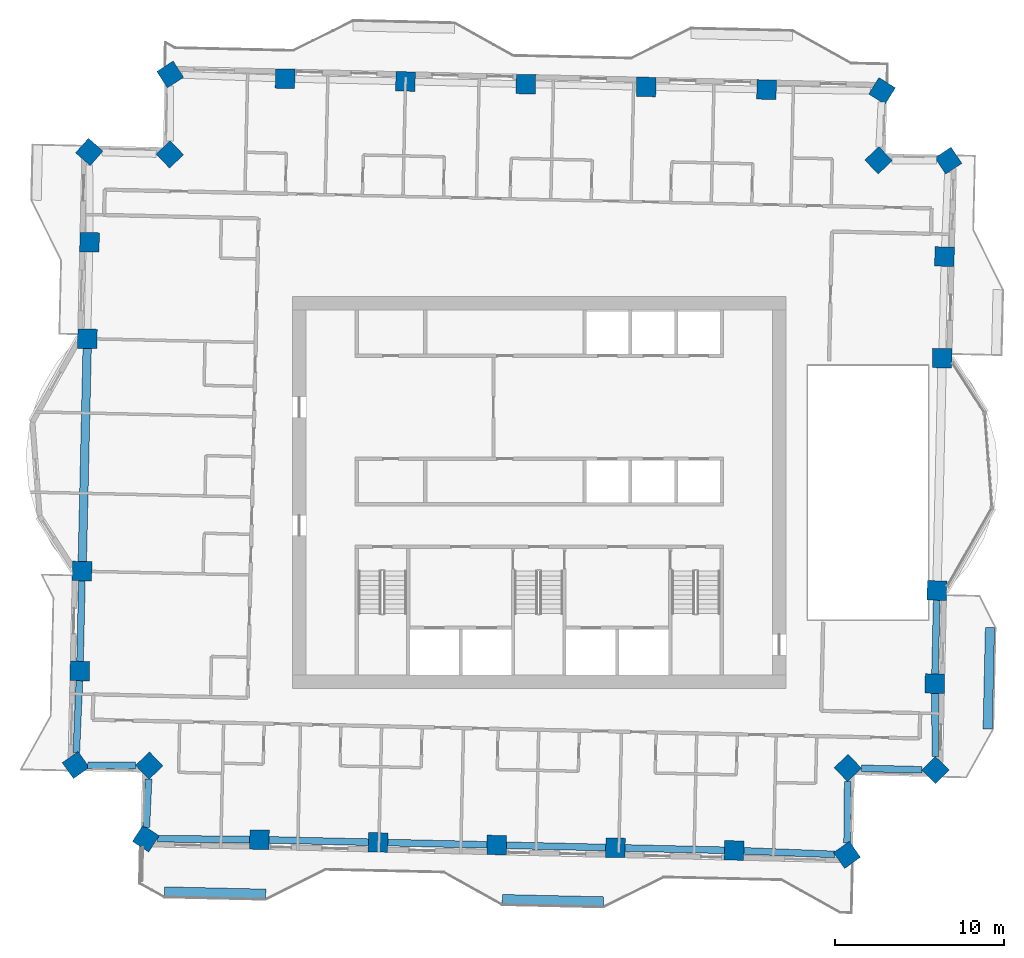
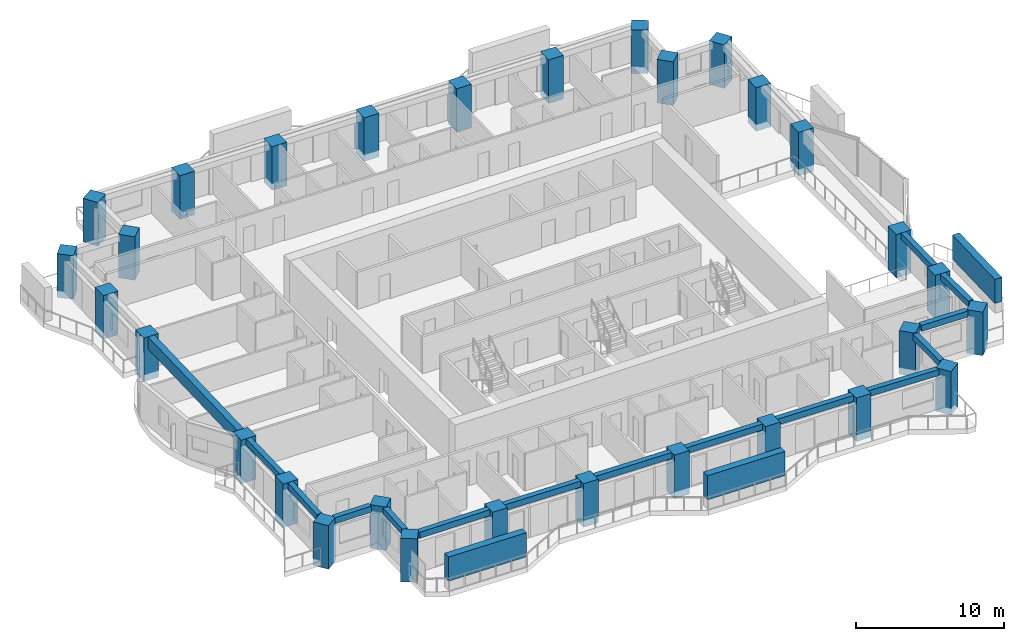
# One storey, part 1 of 14: 30 columns, 15 beams, 3 members.
"""IFC4 building model written with IfcOpenShell, lengths in metres."""

from ifc_helpers import new_model, si_unit, direction, frame, origin, origin_2d, place, context, subcontext, project, spatial, rectangle, extrude, material, material_profile, profile_set, type_object, element, save


model = new_model("IFC4")

# Units and contexts
model_context = context("Model", 3, precision=1e-05, world=origin(), true_north=direction((0.0, 1.0)))
body_context = subcontext(model_context, "Body", "Model", "MODEL_VIEW")
ifc_project = project(units=[si_unit("LENGTHUNIT", "METRE"), si_unit("AREAUNIT", "SQUARE_METRE"), si_unit("VOLUMEUNIT", "CUBIC_METRE"), si_unit("PLANEANGLEUNIT", "RADIAN"), si_unit("MASSUNIT", "GRAM", prefix="KILO")], contexts=[model_context])

# Site, building, storey
site_placement = place(None, origin())
site = spatial("IfcSite", under=ifc_project, at=site_placement, CompositionType="ELEMENT")
building_placement = place(site_placement, origin())
building = spatial("IfcBuilding", under=site, at=building_placement, Name="Mangrove Gate Tower", CompositionType="ELEMENT")
storey_placement = place(building_placement, frame((0.0, 0.0, 205.10009765625)))
storey = spatial("IfcBuildingStorey", under=building, at=storey_placement, Name="L52", CompositionType="ELEMENT", Elevation=205.10009765625)

# Columns
ifc_material_1 = material(Name="Concrete C60/75", Category="concrete")
ifc_material_profile_1 = material_profile(ifc_material_1, rectangle(XDim=1.14990234375, YDim=1.14990234375, at=origin_2d()))
ifc_profile_set_1 = profile_set([ifc_material_profile_1], Name="Concrete C60/75")
column_type = type_object("IfcColumnType", Name="Column RC 1150x1150 C60/75", PredefinedType="COLUMN", material=ifc_profile_set_1)
for number, where, z_axis, x_axis, name in (
    (1, (-27.046142578125, -4.650146484375, -0.550048828125), (0.0, 0.0, 1.0), (-0.02268213383, -0.999742727308, 0.0), "Column L52 W05"),
    (2, (-27.18017578125, -10.56005859375, -0.550048828125), (0.0, 0.0, 1.0), (-0.022750219004, -0.999741180274, 0.0), "Column L52 W06"),
    (3, (-27.4208984375, -16.125244140625, -0.550048828125), (0.0, 0.0, 1.0), (0.578578159923, -0.815626944663, 0.0), "Column L52 W07"),
    (4, (-23.0751953125, -16.16064453125, -0.550048828125), (0.0, 0.0, 1.0), (0.690854032309, -0.722994264183, 0.0), "Column L52 W08"),
    (5, (-23.27490234375, -20.476806640625, -0.550048828125), (0.0, 0.0, 1.0), (0.835228982997, -0.549902305834, 0.0), "Column L52 S01"),
    (6, (-16.554931640625, -20.541259765625, -0.550048828125), (0.0, 0.0, 1.0), (0.999742166043, -0.022706858776, 0.0), "Column L52 S02"),
    (7, (-9.532958984375, -20.701171875, -0.550048828125), (0.0, 0.0, 1.0), (0.999742129581, -0.022708464065, 0.0), "Column L52 S03"),
    (8, (-2.510986328125, -20.860107421875, -0.550048828125), (0.0, 0.0, 1.0), (0.999743742918, -0.022637325283, 0.0), "Column L52 S04"),
    (9, (4.510986328125, -21.01904296875, -0.550048828125), (0.0, 0.0, 1.0), (0.999742129581, -0.022708464065, 0.0), "Column L52 S05"),
    (10, (11.532958984375, -21.17919921875, -0.550048828125), (0.0, 0.0, 1.0), (0.999742166043, -0.022706858776, 0.0), "Column L52 S06"),
    (11, (18.21142578125, -21.443115234375, -0.550048828125), (0.0, 0.0, 1.0), (0.817005906944, 0.576629298612, 0.0), "Column L52 S07"),
    (12, (18.263671875, -16.29833984375, -0.550048828125), (0.0, 0.0, 1.0), (0.722904645442, 0.690947808158, 0.0), "Column L52 E01"),
    (13, (23.44970703125, -16.427978515625, -0.550048828125), (0.0, 0.0, 1.0), (0.702472771276, 0.711710619294, 0.0), "Column L52 E02"),
    (14, (23.4091796875, -11.307861328125, -0.550048828125), (0.0, 0.0, 1.0), (0.022678138054, 0.999742817956, 0.0), "Column L52 E03"),
    (15, (23.5341796875, -5.7978515625, -0.550048828125), (0.0, 0.0, 1.0), (0.022686024913, 0.999742639019, 0.0), "Column L52 E04"),
    (16, (23.84619140625, 7.949951171875, -0.550048828125), (0.0, 0.0, 1.0), (0.022719107826, 0.999741887759, 0.0), "Column L52 E05"),
    (17, (23.983154296875, 13.9599609375, -0.550048828125), (0.0, 0.0, 1.0), (0.022704398496, 0.99974222192, 0.0), "Column L52 E06"),
    (18, (24.21533203125, 19.639404296875, -0.550048828125), (0.0, 0.0, 1.0), (-0.553976303186, 0.832532435109, 0.0), "Column L52 E07"),
    (19, (20.079345703125, 19.65576171875, -0.550048828125), (0.0, 0.0, 1.0), (-0.69093208713, 0.722919671176, 0.0), "Column L52 E08"),
    (20, (20.286865234375, 23.763427734375, -0.550048828125), (0.0, 0.0, 1.0), (-0.849671924518, 0.527311692157, 0.0), "Column L52 N01"),
    (21, (13.454833984375, 23.839111328125, -0.550048828125), (0.0, 0.0, 1.0), (-0.999741400599, 0.022740534932, 0.0), "Column L52 N02"),
    (22, (6.3330078125, 24.001220703125, -0.550048828125), (0.0, 0.0, 1.0), (-0.999742993665, 0.022670390785, 0.0), "Column L52 N03"),
    (23, (-0.7890625, 24.162109375, -0.550048828125), (0.0, 0.0, 1.0), (-0.999742993665, 0.022670390785, 0.0), "Column L52 N04"),
    (24, (-7.9111328125, 24.32421875, -0.550048828125), (0.0, 0.0, 1.0), (-0.999742993665, 0.022670390785, 0.0), "Column L52 N05"),
    (25, (-15.032958984375, 24.485107421875, -0.550048828125), (0.0, 0.0, 1.0), (-0.999742993665, 0.022670390785, 0.0), "Column L52 N06"),
    (26, (-21.83154296875, 24.738037109375, -0.550048828125), (0.0, 0.0, 1.0), (-0.841786903105, -0.539809975603, 0.0), "Column L52 N07"),
    (27, (-21.853759765625, 20.00732421875, -0.550048828125), (0.0, 0.0, 1.0), (-0.722980880026, -0.690868038859, 0.0), "Column L52 W01"),
    (28, (-26.618408203125, 20.152099609375, -0.550048828125), (0.0, 0.0, 1.0), (-0.660570488369, -0.750764030769, 0.0), "Column L52 W02"),
    (29, (-26.605224609375, 14.807861328125, -0.550048828125), (0.0, 0.0, 1.0), (-0.022671699445, -0.999742963988, 0.0), "Column L52 W03"),
    (30, (-26.734130859375, 9.097900390625, -0.550048828125), (0.0, 0.0, 1.0), (-0.022658386004, -0.999743265816, 0.0), "Column L52 W04"),
):
    element("IfcColumn", number, at=place(storey_placement, frame(where, z_axis=z_axis, x_axis=x_axis)), inside=storey, type_object=column_type, Name=name, PredefinedType="COLUMN", context=body_context, shape_type="SweptSolid", body=[
        extrude(rectangle(XDim=1.14990234375, YDim=1.14990234375, at=origin_2d()), origin(), (0.0, 0.0, 1.0), 3.599853515625),
    ])

# Members
ifc_material_2 = material(Name="Planting on aluminium trellis", Category="aluminium")
ifc_material_profile_2 = material_profile(ifc_material_2, rectangle(XDim=0.550048828125, YDim=2.0, at=origin_2d()))
ifc_profile_set_2 = profile_set([ifc_material_profile_2], Name="Planting on aluminium trellis")
member_type = type_object("IfcMemberType", Name="Balcony greenery screen 550x2000", PredefinedType="USERDEFINED", material=ifc_profile_set_2)
for number, where, z_axis, x_axis, name in (
    (31, (26.5390625, -13.992919921875, 1.7998046875), (0.022662255828, 0.999743178102, 0.0), (-0.999743178102, 0.022662255828, 0.0), "GREEN SCREEN L52 E0.1"),
    (32, (-22.178955078125, -23.60498046875, 1.7998046875), (0.999743178102, -0.022662255828, 0.0), (0.022662255828, 0.999743178102, 0.0), "GREEN SCREEN L52 S0.1"),
    (33, (-2.18408203125, -24.05810546875, 1.7998046875), (0.999743178102, -0.022662255828, 0.0), (0.022662255828, 0.999743178102, 0.0), "GREEN SCREEN L52 S1.1"),
):
    element("IfcMember", number, at=place(storey_placement, frame(where, z_axis=z_axis, x_axis=x_axis)), inside=storey, type_object=member_type, Name=name, ObjectType="PLANTING", PredefinedType="USERDEFINED", context=body_context, shape_type="SweptSolid", body=[
        extrude(rectangle(XDim=0.550048828125, YDim=2.0, at=origin_2d()), origin(), (0.0, 0.0, 1.0), 6.00048828125),
    ])

# Beams
ifc_material_3 = material(Name="Concrete C50/60", Category="concrete")
ifc_material_profile_3 = material_profile(ifc_material_3, rectangle(XDim=0.39990234375, YDim=0.5, at=origin_2d()))
ifc_profile_set_3 = profile_set([ifc_material_profile_3], Name="Concrete C50/60")
beam_type_1 = type_object("IfcBeamType", Name="Edge beam RC 400x500 C50/60", PredefinedType="BEAM", material=ifc_profile_set_3)
beam_1_placement = place(storey_placement, frame((-27.05908203125, -5.224853515625, 2.7998046875), z_axis=(-0.022714417043, -0.999741994346, 0.0), x_axis=(0.999741994346, -0.022714417043, 0.0)))
element("IfcBeam", 34, at=beam_1_placement, inside=storey, type_object=beam_type_1, Name="Edge beam L52 00", PredefinedType="BEAM", context=body_context, shape_type="SweptSolid", body=[
    extrude(rectangle(XDim=0.39990234375, YDim=0.5, at=origin_2d()), origin(), (0.0, 0.0, 1.0), 4.761474609375),
])
beam_2_placement = place(storey_placement, frame((-27.205078125, -11.134765625, 2.7998046875), z_axis=(-0.043253492275, -0.999064129776, 0.0), x_axis=(0.999064129776, -0.043253492275, 0.0)))
element("IfcBeam", 35, at=beam_2_placement, inside=storey, type_object=beam_type_1, Name="Edge beam L52 01", PredefinedType="BEAM", context=body_context, shape_type="SweptSolid", body=[
    extrude(rectangle(XDim=0.39990234375, YDim=0.5, at=origin_2d()), origin(), (0.0, 0.0, 1.0), 4.26708984375),
])
beam_3_placement = place(storey_placement, frame((-26.7119140625, -16.131103515625, 2.7998046875), z_axis=(0.999966541492, -0.008180213678, 0.0), x_axis=(0.008180213678, 0.999966541492, 0.0)))
element("IfcBeam", 36, at=beam_3_placement, inside=storey, type_object=beam_type_1, Name="Edge beam L52 02", PredefinedType="BEAM", context=body_context, shape_type="SweptSolid", body=[
    extrude(rectangle(XDim=0.39990234375, YDim=0.5, at=origin_2d()), origin(), (0.0, 0.0, 1.0), 2.835205078125),
])
beam_4_placement = place(storey_placement, frame((-23.112060546875, -16.95458984375, 2.7998046875), z_axis=(-0.046144122159, -0.998934792662, 0.0), x_axis=(0.998934792662, -0.046144122159, 0.0)))
element("IfcBeam", 37, at=beam_4_placement, inside=storey, type_object=beam_type_1, Name="Edge beam L52 03", PredefinedType="BEAM", context=body_context, shape_type="SweptSolid", body=[
    extrude(rectangle(XDim=0.39990234375, YDim=0.5, at=origin_2d()), origin(), (0.0, 0.0, 1.0), 2.85693359375),
])
beam_5_placement = place(storey_placement, frame((-22.590576171875, -20.4833984375, 2.7998046875), z_axis=(0.99995423302, -0.009567228769, 0.0), x_axis=(0.009567228769, 0.99995423302, 0.0)))
element("IfcBeam", 38, at=beam_5_placement, inside=storey, type_object=beam_type_1, Name="Edge beam L52 04", PredefinedType="BEAM", context=body_context, shape_type="SweptSolid", body=[
    extrude(rectangle(XDim=0.39990234375, YDim=0.5, at=origin_2d()), origin(), (0.0, 0.0, 1.0), 5.4609375),
])
for number, where, z_axis, x_axis, name in (
    (39, (-15.97998046875, -20.55419921875, 2.7998046875), (0.999740546409, -0.022778056687, 0.0), (0.022778056687, 0.999740546409, 0.0), "Edge beam L52 05"),
    (40, (-8.9580078125, -20.714111328125, 2.7998046875), (0.999743378275, -0.022653423464, 0.0), (0.022653423464, 0.999743378275, 0.0), "Edge beam L52 06"),
):
    element("IfcBeam", number, at=place(storey_placement, frame(where, z_axis=z_axis, x_axis=x_axis)), inside=storey, type_object=beam_type_1, Name=name, PredefinedType="BEAM", context=body_context, shape_type="SweptSolid", body=[
        extrude(rectangle(XDim=0.39990234375, YDim=0.5, at=origin_2d()), origin(), (0.0, 0.0, 1.0), 5.87353515625),
    ])
for number, where, z_axis, x_axis, name in (
    (41, (-1.93603515625, -20.873046875, 2.7998046875), (0.999743399605, -0.022652482135, 0.0), (0.022652482135, 0.999743399605, 0.0), "Edge beam L52 07"),
    (42, (5.0859375, -21.0322265625, 2.7998046875), (0.999740567973, -0.022777110184, 0.0), (0.022777110184, 0.999740567973, 0.0), "Edge beam L52 08"),
):
    element("IfcBeam", number, at=place(storey_placement, frame(where, z_axis=z_axis, x_axis=x_axis)), inside=storey, type_object=beam_type_1, Name=name, PredefinedType="BEAM", context=body_context, shape_type="SweptSolid", body=[
        extrude(rectangle(XDim=0.39990234375, YDim=0.5, at=origin_2d()), origin(), (0.0, 0.0, 1.0), 5.873779296875),
    ])
beam_6_placement = place(storey_placement, frame((12.107666015625, -21.201904296875, 2.7998046875), z_axis=(0.999219752708, -0.039495389572, 0.0), x_axis=(0.039495389572, 0.999219752708, 0.0)))
element("IfcBeam", 43, at=beam_6_placement, inside=storey, type_object=beam_type_1, Name="Edge beam L52 09", PredefinedType="BEAM", context=body_context, shape_type="SweptSolid", body=[
    extrude(rectangle(XDim=0.39990234375, YDim=0.5, at=origin_2d()), origin(), (0.0, 0.0, 1.0), 5.384033203125),
])
beam_7_placement = place(storey_placement, frame((18.21875, -20.734375, 2.7998046875), z_axis=(0.010147326996, 0.999948514552, 0.0), x_axis=(-0.999948514552, 0.010147326996, 0.0)))
element("IfcBeam", 44, at=beam_7_placement, inside=storey, type_object=beam_type_1, Name="Edge beam L52 10", PredefinedType="BEAM", context=body_context, shape_type="SweptSolid", body=[
    extrude(rectangle(XDim=0.39990234375, YDim=0.5, at=origin_2d()), origin(), (0.0, 0.0, 1.0), 3.633056640625),
])
beam_8_placement = place(storey_placement, frame((19.07470703125, -16.318603515625, 2.7998046875), z_axis=(0.999686412601, -0.025041494782, 0.0), x_axis=(0.025041494782, 0.999686412601, 0.0)))
element("IfcBeam", 45, at=beam_8_placement, inside=storey, type_object=beam_type_1, Name="Edge beam L52 11", PredefinedType="BEAM", context=body_context, shape_type="SweptSolid", body=[
    extrude(rectangle(XDim=0.39990234375, YDim=0.5, at=origin_2d()), origin(), (0.0, 0.0, 1.0), 3.587890625),
])
beam_9_placement = place(storey_placement, frame((23.443359375, -15.615966796875, 2.7998046875), z_axis=(-0.007913938832, 0.999968684296, 0.0), x_axis=(-0.999968684296, -0.007913938832, 0.0)))
element("IfcBeam", 46, at=beam_9_placement, inside=storey, type_object=beam_type_1, Name="Edge beam L52 12", PredefinedType="BEAM", context=body_context, shape_type="SweptSolid", body=[
    extrude(rectangle(XDim=0.39990234375, YDim=0.5, at=origin_2d()), origin(), (0.0, 0.0, 1.0), 3.732666015625),
])
beam_10_placement = place(storey_placement, frame((23.422119140625, -10.733154296875, 2.7998046875), z_axis=(0.022670543731, 0.999742990196, 0.0), x_axis=(-0.999742990196, 0.022670543731, 0.0)))
element("IfcBeam", 47, at=beam_10_placement, inside=storey, type_object=beam_type_1, Name="Edge beam L52 13", PredefinedType="BEAM", context=body_context, shape_type="SweptSolid", body=[
    extrude(rectangle(XDim=0.39990234375, YDim=0.5, at=origin_2d()), origin(), (0.0, 0.0, 1.0), 4.361572265625),
])
ifc_material_4 = material(Name="Concrete C50/60", Category="concrete")
ifc_material_profile_4 = material_profile(ifc_material_4, rectangle(XDim=0.5, YDim=1.0, at=origin_2d()))
ifc_profile_set_4 = profile_set([ifc_material_profile_4], Name="Concrete C50/60")
beam_type_2 = type_object("IfcBeamType", Name="Edge beam RC 500x1000 C50/60", PredefinedType="BEAM", material=ifc_profile_set_4)
beam_11_placement = place(storey_placement, frame((-26.747314453125, 8.523193359375, 2.5498046875), z_axis=(-0.022686638645, -0.999742625093, 0.0), x_axis=(0.999742625093, -0.022686638645, 0.0)))
element("IfcBeam", 48, at=beam_11_placement, inside=storey, type_object=beam_type_2, Name="Edge beam L52 29", PredefinedType="BEAM", context=body_context, shape_type="SweptSolid", body=[
    extrude(rectangle(XDim=0.5, YDim=1.0, at=origin_2d()), origin(), (0.0, 0.0, 1.0), 12.6015625),
])

save(model, "model.ifc")
